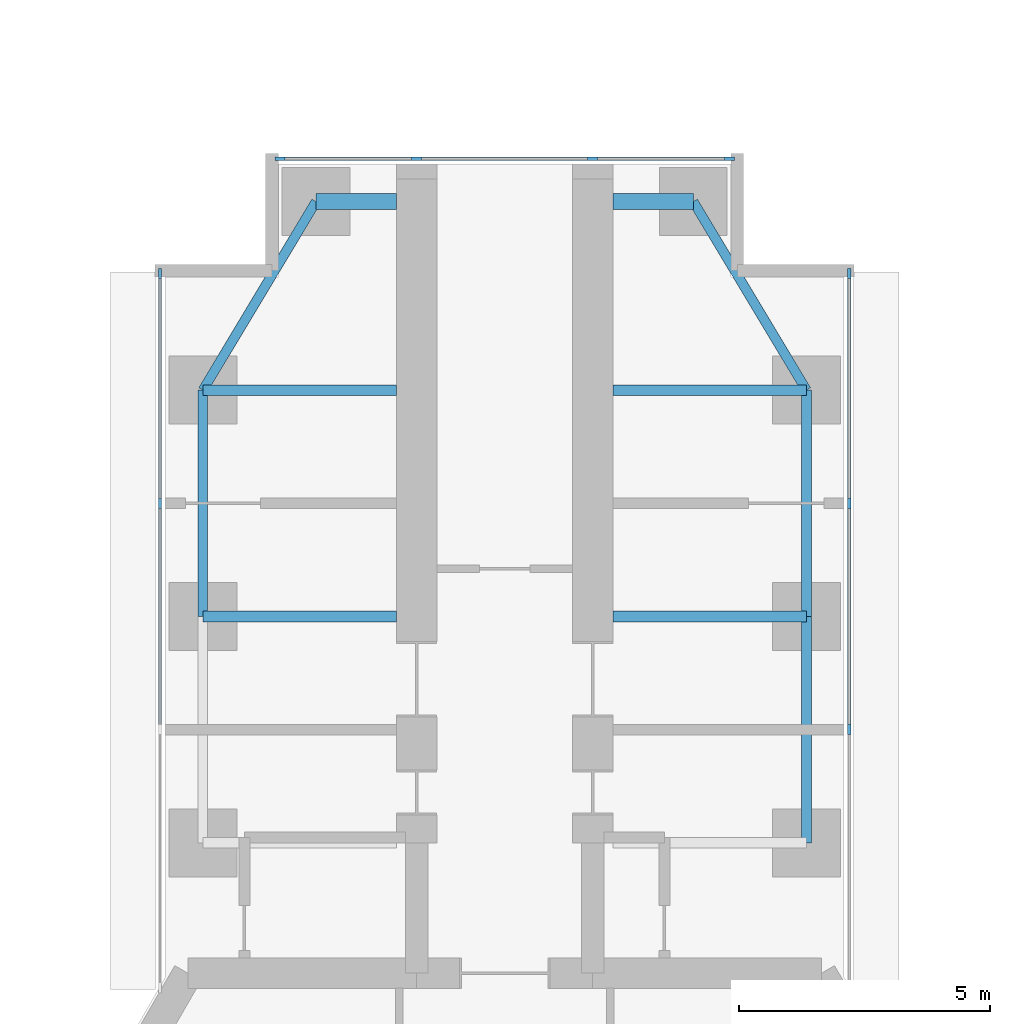
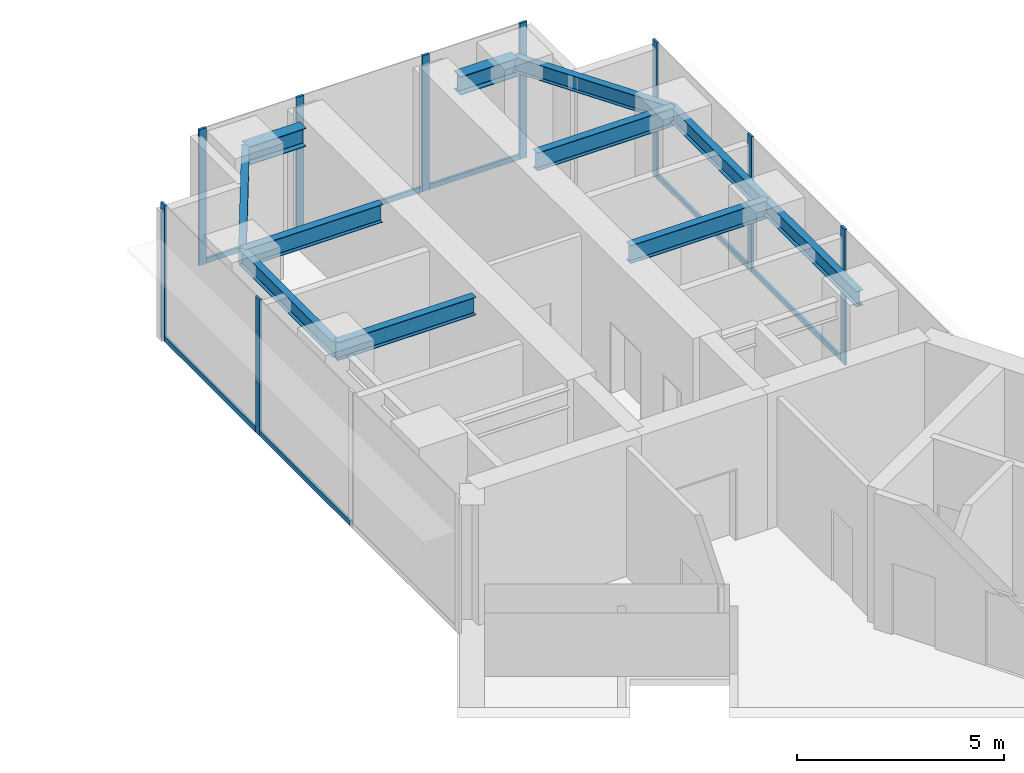
# One storey, part 12 of 21: 16 members, 11 beams, 3 elements without a shape of their own.
"""IFC4 building model written with IfcOpenShell, lengths in metres."""

from ifc_helpers import new_model, si_unit, direction, frame, origin, origin_2d, place, context, subcontext, project, spatial, rectangle, i_section, extrude, material, material_profile, profile_set, type_object, element, aggregate, save


model = new_model("IFC4")

# Units and contexts
model_context = context("Model", 3, precision=1e-05, world=origin(), true_north=direction((0.0, 1.0)))
body_context = subcontext(model_context, "Body", "Model", "MODEL_VIEW")
ifc_project = project(units=[si_unit("LENGTHUNIT", "METRE"), si_unit("AREAUNIT", "SQUARE_METRE"), si_unit("VOLUMEUNIT", "CUBIC_METRE"), si_unit("PLANEANGLEUNIT", "RADIAN"), si_unit("MASSUNIT", "GRAM", prefix="KILO")], contexts=[model_context])

# Site, building, storey
site_placement = place(None, origin())
site = spatial("IfcSite", under=ifc_project, at=site_placement, CompositionType="ELEMENT")
building_placement = place(site_placement, origin())
building = spatial("IfcBuilding", under=site, at=building_placement, Name="Upepo Twin Towers", CompositionType="ELEMENT")
storey_placement = place(building_placement, frame((0.0, 0.0, 117.5)))
storey = spatial("IfcBuildingStorey", under=building, at=storey_placement, Name="L28", CompositionType="ELEMENT", Elevation=117.5)

# Beams
ifc_material_1 = material(Name="Steel S355", Category="steel")
ifc_material_profile_1 = material_profile(ifc_material_1, i_section(OverallWidth=0.1904296875, OverallDepth=0.45703125, WebThickness=0.009033203125, FlangeThickness=0.014404296875, FilletRadius=0.01025390625, at=origin_2d()), Name="UB 457x191x74")
ifc_profile_set_1 = profile_set([ifc_material_profile_1], Name="Steel S355")
beam_type_1 = type_object("IfcBeamType", Name="Beam UB 457x191x74", PredefinedType="BEAM", material=ifc_profile_set_1)
beam_1_placement = place(storey_placement, frame((52.5, 0.0, 3.571533203125), z_axis=(0.0, 1.0, 0.0), x_axis=(-1.0, 0.0, 0.0)))
element("IfcBeam", 1, at=beam_1_placement, inside=storey, type_object=beam_type_1, Name="T2 edge beam AL 18.0-22.5", PredefinedType="BEAM", context=body_context, shape_type="SweptSolid", body=[
    extrude(i_section(OverallWidth=0.1904296875, OverallDepth=0.45703125, WebThickness=0.009033203125, FlangeThickness=0.014404296875, FilletRadius=0.01025390625, at=origin_2d()), origin(), (0.0, 0.0, 1.0), 4.5),
])
beam_2_placement = place(storey_placement, frame((52.5, 4.5, 3.571533203125), z_axis=(0.514495755428, 0.857492925713, 0.0), x_axis=(-0.857492925713, 0.514495755428, 0.0)))
element("IfcBeam", 2, at=beam_2_placement, inside=storey, type_object=beam_type_1, Name="T2 nose edge beam AL", PredefinedType="BEAM", context=body_context, shape_type="SweptSolid", body=[
    extrude(i_section(OverallWidth=0.1904296875, OverallDepth=0.45703125, WebThickness=0.009033203125, FlangeThickness=0.014404296875, FilletRadius=0.01025390625, at=origin_2d()), origin(), (0.0, 0.0, 1.0), 4.373291015625),
])
for number, where, z_axis, x_axis, name in (
    (3, (64.5, -4.5, 3.571533203125), (0.0, 1.0, 0.0), (-1.0, 0.0, 0.0), "T2 edge beam AR 13.5-18.0"),
    (4, (64.5, 0.0, 3.571533203125), (0.0, 1.0, 0.0), (-1.0, 0.0, 0.0), "T2 edge beam AR 18.0-22.5"),
):
    element("IfcBeam", number, at=place(storey_placement, frame(where, z_axis=z_axis, x_axis=x_axis)), inside=storey, type_object=beam_type_1, Name=name, PredefinedType="BEAM", context=body_context, shape_type="SweptSolid", body=[
        extrude(i_section(OverallWidth=0.1904296875, OverallDepth=0.45703125, WebThickness=0.009033203125, FlangeThickness=0.014404296875, FilletRadius=0.01025390625, at=origin_2d()), origin(), (0.0, 0.0, 1.0), 4.5),
    ])
beam_3_placement = place(storey_placement, frame((64.5, 4.5, 3.571533203125), z_axis=(-0.514495755428, 0.857492925713, 0.0), x_axis=(-0.857492925713, -0.514495755428, 0.0)))
element("IfcBeam", 5, at=beam_3_placement, inside=storey, type_object=beam_type_1, Name="T2 nose edge beam AR", PredefinedType="BEAM", context=body_context, shape_type="SweptSolid", body=[
    extrude(i_section(OverallWidth=0.1904296875, OverallDepth=0.45703125, WebThickness=0.009033203125, FlangeThickness=0.014404296875, FilletRadius=0.01025390625, at=origin_2d()), origin(), (0.0, 0.0, 1.0), 4.373291015625),
])
ifc_material_2 = material(Name="Steel S355", Category="steel")
ifc_material_profile_2 = material_profile(ifc_material_2, i_section(OverallWidth=0.209228515625, OverallDepth=0.533203125, WebThickness=0.010009765625, FlangeThickness=0.015625, FilletRadius=0.0126953125, at=origin_2d()), Name="UB 533x210x92")
ifc_profile_set_2 = profile_set([ifc_material_profile_2], Name="Steel S355")
beam_type_2 = type_object("IfcBeamType", Name="Beam UB 533x210x92", PredefinedType="BEAM", material=ifc_profile_set_2)
for number, where, z_axis, x_axis, name in (
    (6, (52.5, 0.0, 3.533447265625), (1.0, 0.0, 0.0), (0.0, 1.0, 0.0), "T2 girder AL at 18.0"),
    (7, (52.5, 4.5, 3.533447265625), (1.0, 0.0, 0.0), (0.0, 1.0, 0.0), "T2 girder AL at 22.5"),
    (8, (64.5, 0.0, 3.533447265625), (-1.0, 0.0, 0.0), (0.0, -1.0, 0.0), "T2 girder AR at 18.0"),
    (9, (64.5, 4.5, 3.533447265625), (-1.0, 0.0, 0.0), (0.0, -1.0, 0.0), "T2 girder AR at 22.5"),
):
    element("IfcBeam", number, at=place(storey_placement, frame(where, z_axis=z_axis, x_axis=x_axis)), inside=storey, type_object=beam_type_2, Name=name, PredefinedType="BEAM", context=body_context, shape_type="SweptSolid", body=[
        extrude(i_section(OverallWidth=0.209228515625, OverallDepth=0.533203125, WebThickness=0.010009765625, FlangeThickness=0.015625, FilletRadius=0.0126953125, at=origin_2d()), origin(), (0.0, 0.0, 1.0), 3.85009765625),
    ])
ifc_material_3 = material(Name="Steel S355", Category="steel")
ifc_material_profile_3 = material_profile(ifc_material_3, i_section(OverallWidth=0.31201171875, OverallDepth=0.54345703125, WebThickness=0.0126953125, FlangeThickness=0.020263671875, FilletRadius=0.0126953125, at=origin_2d()), Name="UB 533x312x150")
ifc_profile_set_3 = profile_set([ifc_material_profile_3], Name="Steel S355")
beam_type_3 = type_object("IfcBeamType", Name="Beam UB 533x312x150", PredefinedType="BEAM", material=ifc_profile_set_3)
for number, where, z_axis, x_axis, name in (
    (10, (54.75, 8.25, 3.5283203125), (1.0, 0.0, 0.0), (0.0, 1.0, 0.0), "T2 nose beam AL"),
    (11, (62.25, 8.25, 3.5283203125), (-1.0, 0.0, 0.0), (0.0, -1.0, 0.0), "T2 nose beam AR"),
):
    element("IfcBeam", number, at=place(storey_placement, frame(where, z_axis=z_axis, x_axis=x_axis)), inside=storey, type_object=beam_type_3, Name=name, PredefinedType="BEAM", context=body_context, shape_type="SweptSolid", body=[
        extrude(i_section(OverallWidth=0.31201171875, OverallDepth=0.54345703125, WebThickness=0.0126953125, FlangeThickness=0.020263671875, FilletRadius=0.0126953125, at=origin_2d()), origin(), (0.0, 0.0, 1.0), 1.60009765625),
    ])

# Curtain wall, members
ifc_material_4 = material(Name="Aluminium and fritted glass", Category="aluminium")
curtain_wall_type = type_object("IfcCurtainWallType", Name="Tower curtain wall TW2, fritted glass", PredefinedType="NOTDEFINED", material=ifc_material_4)
curtain_wall_1_placement = place(storey_placement, origin())
curtain_wall_1 = element("IfcCurtainWall", 12, at=curtain_wall_1_placement, inside=storey, type_object=curtain_wall_type, Name="T2 L28 wing A flank L curtain wall", PredefinedType="NOTDEFINED")
ifc_material_5 = material(Name="Aluminium mullion", Category="aluminium")
ifc_material_profile_4 = material_profile(ifc_material_5, rectangle(XDim=0.06494140625, YDim=0.199951171875, at=origin_2d()), Name="MULLION 65x200")
ifc_profile_set_4 = profile_set([ifc_material_profile_4], Name="Aluminium mullion")
member_type_1 = type_object("IfcMemberType", Name="Mullion 65x200 TW2", PredefinedType="MULLION", material=ifc_profile_set_4)
member_1_placement = place(storey_placement, frame((51.64990234375, 2.25, 0.0), z_axis=(0.0, 0.0, 1.0), x_axis=(-1.0, 0.0, 0.0)))
member_1 = element("IfcMember", 13, at=member_1_placement, type_object=member_type_1, Name="T2 L28 wing A flank L curtain wall mullion 3", PredefinedType="MULLION", context=body_context, shape_type="SweptSolid", body=[
    extrude(rectangle(XDim=0.06494140625, YDim=0.199951171875, at=origin_2d()), origin(), (0.0, 0.0, 1.0), 4.0),
])
member_2_placement = place(storey_placement, frame((51.64990234375, 6.8173828125, 0.0), z_axis=(0.0, 0.0, 1.0), x_axis=(-1.0, 0.0, 0.0)))
member_2 = element("IfcMember", 14, at=member_2_placement, type_object=member_type_1, Name="T2 L28 wing A flank L curtain wall mullion 4", PredefinedType="MULLION", context=body_context, shape_type="SweptSolid", body=[
    extrude(rectangle(XDim=0.06494140625, YDim=0.199951171875, at=origin_2d()), origin(), (0.0, 0.0, 1.0), 4.0),
])

curtain_wall_2_placement = place(storey_placement, origin())
curtain_wall_2 = element("IfcCurtainWall", 15, at=curtain_wall_2_placement, inside=storey, type_object=curtain_wall_type, Name="T2 L28 wing A flank R curtain wall", PredefinedType="NOTDEFINED")
member_3_placement = place(storey_placement, frame((65.35009765625, 6.8173828125, 0.0), z_axis=(0.0, 0.0, 1.0), x_axis=(1.0, 0.0, 0.0)))
member_3 = element("IfcMember", 16, at=member_3_placement, type_object=member_type_1, Name="T2 L28 wing A flank R curtain wall mullion 1", PredefinedType="MULLION", context=body_context, shape_type="SweptSolid", body=[
    extrude(rectangle(XDim=0.06494140625, YDim=0.199951171875, at=origin_2d()), origin(), (0.0, 0.0, 1.0), 4.0),
])
member_4_placement = place(storey_placement, frame((65.35009765625, 2.25, 0.0), z_axis=(0.0, 0.0, 1.0), x_axis=(1.0, 0.0, 0.0)))
member_4 = element("IfcMember", 17, at=member_4_placement, type_object=member_type_1, Name="T2 L28 wing A flank R curtain wall mullion 2", PredefinedType="MULLION", context=body_context, shape_type="SweptSolid", body=[
    extrude(rectangle(XDim=0.06494140625, YDim=0.199951171875, at=origin_2d()), origin(), (0.0, 0.0, 1.0), 4.0),
])
member_5_placement = place(storey_placement, frame((65.35009765625, -2.25, 0.0), z_axis=(0.0, 0.0, 1.0), x_axis=(1.0, 0.0, 0.0)))
member_5 = element("IfcMember", 18, at=member_5_placement, type_object=member_type_1, Name="T2 L28 wing A flank R curtain wall mullion 3", PredefinedType="MULLION", context=body_context, shape_type="SweptSolid", body=[
    extrude(rectangle(XDim=0.06494140625, YDim=0.199951171875, at=origin_2d()), origin(), (0.0, 0.0, 1.0), 4.0),
])

curtain_wall_3_placement = place(storey_placement, origin())
curtain_wall_3 = element("IfcCurtainWall", 19, at=curtain_wall_3_placement, inside=storey, type_object=curtain_wall_type, Name="T2 L28 wing A nose curtain wall", PredefinedType="NOTDEFINED")
member_6_placement = place(storey_placement, frame((62.967529296875, 9.10009765625, 0.0), z_axis=(0.0, 0.0, 1.0), x_axis=(0.0, -1.0, 0.0)))
member_6 = element("IfcMember", 20, at=member_6_placement, type_object=member_type_1, Name="T2 L28 wing A nose curtain wall mullion 1", PredefinedType="MULLION", context=body_context, shape_type="SweptSolid", body=[
    extrude(rectangle(XDim=0.06494140625, YDim=0.199951171875, at=origin_2d()), origin(), (0.0, 0.0, 1.0), 4.0),
])
member_7_placement = place(storey_placement, frame((60.25, 9.10009765625, 0.0), z_axis=(0.0, 0.0, 1.0), x_axis=(0.0, -1.0, 0.0)))
member_7 = element("IfcMember", 21, at=member_7_placement, type_object=member_type_1, Name="T2 L28 wing A nose curtain wall mullion 2", PredefinedType="MULLION", context=body_context, shape_type="SweptSolid", body=[
    extrude(rectangle(XDim=0.06494140625, YDim=0.199951171875, at=origin_2d()), origin(), (0.0, 0.0, 1.0), 4.0),
])
member_8_placement = place(storey_placement, frame((56.75, 9.10009765625, 0.0), z_axis=(0.0, 0.0, 1.0), x_axis=(0.0, -1.0, 0.0)))
member_8 = element("IfcMember", 22, at=member_8_placement, type_object=member_type_1, Name="T2 L28 wing A nose curtain wall mullion 3", PredefinedType="MULLION", context=body_context, shape_type="SweptSolid", body=[
    extrude(rectangle(XDim=0.06494140625, YDim=0.199951171875, at=origin_2d()), origin(), (0.0, 0.0, 1.0), 4.0),
])
member_9_placement = place(storey_placement, frame((54.032470703125, 9.10009765625, 0.0), z_axis=(0.0, 0.0, 1.0), x_axis=(0.0, -1.0, 0.0)))
member_9 = element("IfcMember", 23, at=member_9_placement, type_object=member_type_1, Name="T2 L28 wing A nose curtain wall mullion 4", PredefinedType="MULLION", context=body_context, shape_type="SweptSolid", body=[
    extrude(rectangle(XDim=0.06494140625, YDim=0.199951171875, at=origin_2d()), origin(), (0.0, 0.0, 1.0), 4.0),
])

# Member
ifc_material_6 = material(Name="Aluminium transom", Category="aluminium")
ifc_material_profile_5 = material_profile(ifc_material_6, rectangle(XDim=0.06494140625, YDim=0.14990234375, at=origin_2d()), Name="TRANSOM 65x150")
ifc_profile_set_5 = profile_set([ifc_material_profile_5], Name="Aluminium transom")
member_type_2 = type_object("IfcMemberType", Name="Transom 65x150 TW2", PredefinedType="USERDEFINED", material=ifc_profile_set_5)
member_10_placement = place(storey_placement, frame((51.64990234375, -2.217529296875, 0.074951171875), z_axis=(0.0, 1.0, 0.0), x_axis=(-1.0, 0.0, 0.0)))
member_10 = element("IfcMember", 24, at=member_10_placement, type_object=member_type_2, Name="T2 L28 wing A flank L curtain wall transom 2", ObjectType="TRANSOM", PredefinedType="USERDEFINED", context=body_context, shape_type="SweptSolid", body=[
    extrude(rectangle(XDim=0.06494140625, YDim=0.14990234375, at=origin_2d()), origin(), (0.0, 0.0, 1.0), 4.43505859375),
])

member_11_placement = place(storey_placement, frame((51.64990234375, 2.282470703125, 0.074951171875), z_axis=(0.0, 1.0, 0.0), x_axis=(-1.0, 0.0, 0.0)))
member_11 = element("IfcMember", 25, at=member_11_placement, type_object=member_type_2, Name="T2 L28 wing A flank L curtain wall transom 3", ObjectType="TRANSOM", PredefinedType="USERDEFINED", context=body_context, shape_type="SweptSolid", body=[
    extrude(rectangle(XDim=0.06494140625, YDim=0.14990234375, at=origin_2d()), origin(), (0.0, 0.0, 1.0), 4.50244140625),
])

aggregate(curtain_wall_1, [member_1, member_2, member_10, member_11])

member_12_placement = place(storey_placement, frame((65.35009765625, 6.784912109375, 0.074951171875), z_axis=(0.0, -1.0, 0.0), x_axis=(1.0, 0.0, 0.0)))
member_12 = element("IfcMember", 26, at=member_12_placement, type_object=member_type_2, Name="T2 L28 wing A flank R curtain wall transom 1", ObjectType="TRANSOM", PredefinedType="USERDEFINED", context=body_context, shape_type="SweptSolid", body=[
    extrude(rectangle(XDim=0.06494140625, YDim=0.14990234375, at=origin_2d()), origin(), (0.0, 0.0, 1.0), 4.50244140625),
])

member_13_placement = place(storey_placement, frame((65.35009765625, 2.217529296875, 0.074951171875), z_axis=(0.0, -1.0, 0.0), x_axis=(1.0, 0.0, 0.0)))
member_13 = element("IfcMember", 27, at=member_13_placement, type_object=member_type_2, Name="T2 L28 wing A flank R curtain wall transom 2", ObjectType="TRANSOM", PredefinedType="USERDEFINED", context=body_context, shape_type="SweptSolid", body=[
    extrude(rectangle(XDim=0.06494140625, YDim=0.14990234375, at=origin_2d()), origin(), (0.0, 0.0, 1.0), 4.43505859375),
])

aggregate(curtain_wall_2, [member_3, member_4, member_5, member_12, member_13])

member_14_placement = place(storey_placement, frame((62.93505859375, 9.10009765625, 0.074951171875), z_axis=(-1.0, 0.0, 0.0), x_axis=(0.0, -1.0, 0.0)))
member_14 = element("IfcMember", 28, at=member_14_placement, type_object=member_type_2, Name="T2 L28 wing A nose curtain wall transom 1", ObjectType="TRANSOM", PredefinedType="USERDEFINED", context=body_context, shape_type="SweptSolid", body=[
    extrude(rectangle(XDim=0.06494140625, YDim=0.14990234375, at=origin_2d()), origin(), (0.0, 0.0, 1.0), 2.652587890625),
])

member_15_placement = place(storey_placement, frame((60.217529296875, 9.10009765625, 0.074951171875), z_axis=(-1.0, 0.0, 0.0), x_axis=(0.0, -1.0, 0.0)))
member_15 = element("IfcMember", 29, at=member_15_placement, type_object=member_type_2, Name="T2 L28 wing A nose curtain wall transom 2", ObjectType="TRANSOM", PredefinedType="USERDEFINED", context=body_context, shape_type="SweptSolid", body=[
    extrude(rectangle(XDim=0.06494140625, YDim=0.14990234375, at=origin_2d()), origin(), (0.0, 0.0, 1.0), 3.43505859375),
])

member_16_placement = place(storey_placement, frame((56.717529296875, 9.10009765625, 0.074951171875), z_axis=(-1.0, 0.0, 0.0), x_axis=(0.0, -1.0, 0.0)))
member_16 = element("IfcMember", 30, at=member_16_placement, type_object=member_type_2, Name="T2 L28 wing A nose curtain wall transom 3", ObjectType="TRANSOM", PredefinedType="USERDEFINED", context=body_context, shape_type="SweptSolid", body=[
    extrude(rectangle(XDim=0.06494140625, YDim=0.14990234375, at=origin_2d()), origin(), (0.0, 0.0, 1.0), 2.652587890625),
])

aggregate(curtain_wall_3, [member_6, member_7, member_8, member_9, member_14, member_15, member_16])

save(model, "model.ifc")
